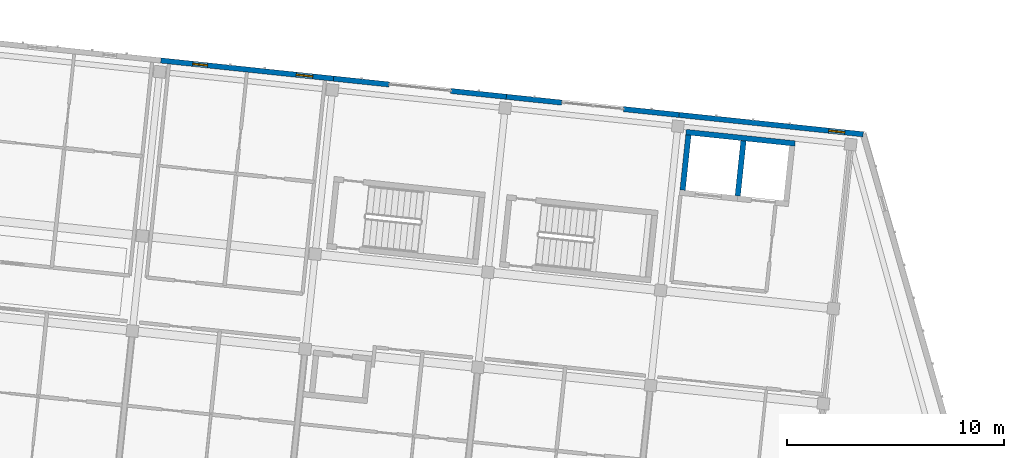
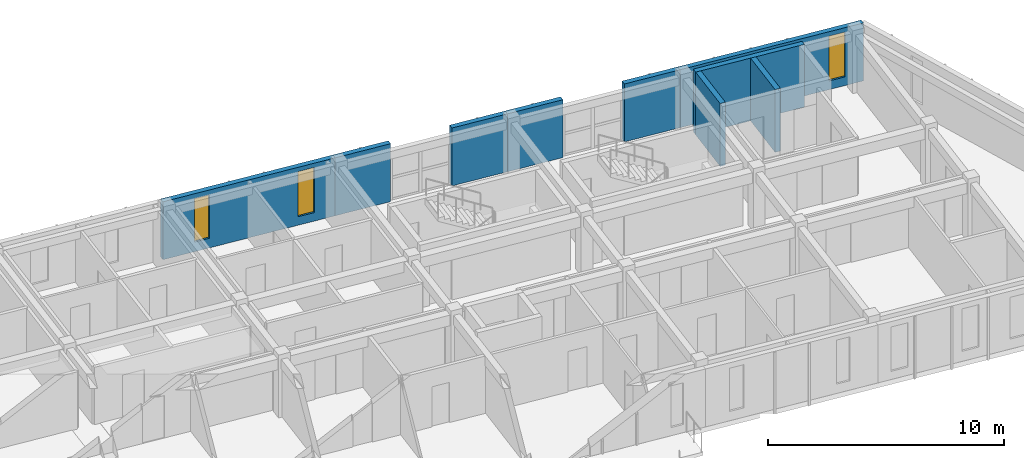
# One storey, part 36 of 74: 9 walls, 3 windows, 3 openings.
"""IFC4 building model written with IfcOpenShell, lengths in metres."""

from ifc_helpers import new_model, si_unit, direction, frame, frame_2d, origin, place, context, subcontext, project, spatial, rectangle, extrude, material, layer, layer_set, type_object, element, fill, save


model = new_model("IFC4")

# Units and contexts
model_context = context("Model", 3, precision=1e-05, world=origin(), true_north=direction((0.0, 1.0)))
body_context = subcontext(model_context, "Body", "Model", "MODEL_VIEW")
ifc_project = project(units=[si_unit("LENGTHUNIT", "METRE"), si_unit("AREAUNIT", "SQUARE_METRE"), si_unit("VOLUMEUNIT", "CUBIC_METRE"), si_unit("PLANEANGLEUNIT", "RADIAN"), si_unit("MASSUNIT", "GRAM", prefix="KILO")], contexts=[model_context])

# Site, building, storey
site_placement = place(None, origin())
site = spatial("IfcSite", under=ifc_project, at=site_placement, CompositionType="ELEMENT")
building_placement = place(site_placement, origin())
building = spatial("IfcBuilding", under=site, at=building_placement, Name="Kestramere Prow Commons", CompositionType="ELEMENT")
storey_placement = place(building_placement, frame((0.0, 0.0, 11.64990234375)))
storey = spatial("IfcBuildingStorey", under=building, at=storey_placement, Name="L03", CompositionType="ELEMENT", Elevation=11.64990234375)

# Wall, openings, windows
ifc_material_1 = material(Name="Fluoropolymer Standing-Seam Zinc-Aluminium Cladding", Category="aluminium")
ifc_layer_1 = layer(ifc_material_1, 0.239990234375)
ifc_layer_set_1 = layer_set([ifc_layer_1], Name="Fluoropolymer Standing-Seam Zinc-Aluminium Cladding")
wall_type_1 = type_object("IfcWallType", Name="EW-SEAM-240", PredefinedType="SOLIDWALL", material=ifc_layer_set_1)
wall_1_placement = place(storey_placement, frame((128.015869140625, 113.142333984375, 0.0), z_axis=(0.0, 0.0, 1.0), x_axis=(0.994522662826, -0.104521161134, 0.0)))
wall_1 = element("IfcWall", 1, at=wall_1_placement, inside=storey, type_object=wall_type_1, Name="Block B L03 North Standing-Seam Wall 3", PredefinedType="SOLIDWALL", context=body_context, shape_type="SweptSolid", body=[
    extrude(rectangle(XDim=8.0, YDim=0.239990234375, at=frame_2d((4.0, 0.0))), origin(), (0.0, 0.0, 1.0), 3.0),
])
opening_1_placement = place(wall_1_placement, frame((1.47998046875, 0.0, 0.5)))
opening_1 = element("IfcOpeningElement", 2, at=opening_1_placement, cuts=wall_1, Name="Opening WN-06", PredefinedType="OPENING", context=body_context, shape_type="SweptSolid", body=[
    extrude(rectangle(XDim=0.679931640625, YDim=2.239990234375, at=frame_2d((0.33984375, 1.1201171875))), frame((0.0, 0.135009765625, 0.0), z_axis=(0.0, -1.0, 0.0), x_axis=(1.0, 0.0, 0.0)), (0.0, 0.0, 1.0), 0.27001953125),
])
opening_2_placement = place(wall_1_placement, frame((6.2705078125, 0.0, 0.43994140625)))
opening_2 = element("IfcOpeningElement", 3, at=opening_2_placement, cuts=wall_1, Name="Opening WN-10", PredefinedType="OPENING", context=body_context, shape_type="SweptSolid", body=[
    extrude(rectangle(XDim=0.760009765625, YDim=2.340087890625, at=frame_2d((0.3798828125, 1.169921875))), frame((0.0, 0.135009765625, 0.0), z_axis=(0.0, -1.0, 0.0), x_axis=(1.0, 0.0, 0.0)), (0.0, 0.0, 1.0), 0.27001953125),
])
ifc_material_2 = material(Name="Low-E Laminated Double Glazing", Category="glass")
window_type_1 = type_object("IfcWindowType", Name="WN-NAR-680A", PartitioningType="SINGLE_PANEL", PredefinedType="WINDOW", material=ifc_material_2)
window_1_placement = place(opening_1_placement, origin())
window_1 = element("IfcWindow", 4, at=window_1_placement, inside=storey, type_object=window_type_1, Name="WN-B-L03-N-2-0", OverallHeight=2.239990234375, OverallWidth=0.679931640625, PartitioningType="SINGLE_PANEL", PredefinedType="WINDOW", context=body_context, shape_type="SweptSolid", body=[
    extrude(rectangle(XDim=0.679931640625, YDim=2.239990234375, at=frame_2d((0.33984375, 1.1201171875))), frame((0.0, 0.030029296875, 0.0), z_axis=(0.0, -1.0, 0.0), x_axis=(1.0, 0.0, 0.0)), (0.0, 0.0, 1.0), 0.06005859375),
])
fill(opening_1, window_1)
window_type_2 = type_object("IfcWindowType", Name="WN-NAR-760A", PartitioningType="SINGLE_PANEL", PredefinedType="WINDOW", material=ifc_material_2)
window_2_placement = place(opening_2_placement, origin())
window_2 = element("IfcWindow", 5, at=window_2_placement, inside=storey, type_object=window_type_2, Name="WN-B-L03-N-2-1", OverallHeight=2.340087890625, OverallWidth=0.760009765625, PartitioningType="SINGLE_PANEL", PredefinedType="WINDOW", context=body_context, shape_type="SweptSolid", body=[
    extrude(rectangle(XDim=0.760009765625, YDim=2.340087890625, at=frame_2d((0.3798828125, 1.169921875))), frame((0.0, 0.030029296875, 0.0), z_axis=(0.0, -1.0, 0.0), x_axis=(1.0, 0.0, 0.0)), (0.0, 0.0, 1.0), 0.06005859375),
])
fill(opening_2, window_2)

# Walls
for number, where, z_axis, x_axis, name in (
    (6, (135.97216796875, 112.30615234375, 0.0), (0.0, 0.0, 1.0), (0.99451635776, -0.104581136677, 0.0), "Block B L03 North Standing-Seam Pier 4L"),
    (7, (141.367431640625, 111.739013671875, 0.0), (0.0, 0.0, 1.0), (0.99451635776, -0.104581136677, 0.0), "Block B L03 North Standing-Seam Pier 4R"),
):
    element("IfcWall", number, at=place(storey_placement, frame(where, z_axis=z_axis, x_axis=x_axis)), inside=storey, type_object=wall_type_1, Name=name, PredefinedType="SOLIDWALL", context=body_context, shape_type="SweptSolid", body=[
        extrude(rectangle(XDim=2.574951171875, YDim=0.239990234375, at=frame_2d((1.28759765625, 0.0))), origin(), (0.0, 0.0, 1.0), 3.0),
    ])
wall_2_placement = place(storey_placement, frame((143.92822265625, 111.4697265625, 0.0), z_axis=(0.0, 0.0, 1.0), x_axis=(0.994527249958, -0.104477505191, 0.0)))
element("IfcWall", 8, at=wall_2_placement, inside=storey, type_object=wall_type_1, Name="Block B L03 North Standing-Seam Pier 5L", PredefinedType="SOLIDWALL", context=body_context, shape_type="SweptSolid", body=[
    extrude(rectangle(XDim=2.5751953125, YDim=0.239990234375, at=frame_2d((1.28759765625, 0.0))), origin(), (0.0, 0.0, 1.0), 3.0),
])
wall_3_placement = place(storey_placement, frame((149.32373046875, 110.90283203125, 0.0), z_axis=(0.0, 0.0, 1.0), x_axis=(0.99451635776, -0.104581136677, 0.0)))
element("IfcWall", 9, at=wall_3_placement, inside=storey, type_object=wall_type_1, Name="Block B L03 North Standing-Seam Pier 5R", PredefinedType="SOLIDWALL", context=body_context, shape_type="SweptSolid", body=[
    extrude(rectangle(XDim=2.574951171875, YDim=0.239990234375, at=frame_2d((1.28759765625, 0.0))), origin(), (0.0, 0.0, 1.0), 3.0),
])

# Wall, opening, window
wall_4_placement = place(storey_placement, frame((151.884521484375, 110.633544921875, 0.0), z_axis=(0.0, 0.0, 1.0), x_axis=(0.994521760736, -0.104529744196, 0.0)))
wall_4 = element("IfcWall", 10, at=wall_4_placement, inside=storey, type_object=wall_type_1, Name="Block B L03 North Standing-Seam Wall 6", PredefinedType="SOLIDWALL", context=body_context, shape_type="SweptSolid", body=[
    extrude(rectangle(XDim=8.52490234375, YDim=0.239990234375, at=frame_2d((4.262451171875, 0.0))), origin(), (0.0, 0.0, 1.0), 3.0),
])
opening_3_placement = place(wall_4_placement, frame((6.925048828125, 0.0, 0.449951171875)))
opening_3 = element("IfcOpeningElement", 11, at=opening_3_placement, cuts=wall_4, Name="Opening WN-19", PredefinedType="OPENING", context=body_context, shape_type="SweptSolid", body=[
    extrude(rectangle(XDim=0.75, YDim=2.320068359375, at=frame_2d((0.375, 1.16015625))), frame((0.0, 0.135009765625, 0.0), z_axis=(0.0, -1.0, 0.0), x_axis=(1.0, 0.0, 0.0)), (0.0, 0.0, 1.0), 0.27001953125),
])
window_type_3 = type_object("IfcWindowType", Name="WN-CLER-1800", PartitioningType="SINGLE_PANEL", PredefinedType="WINDOW", material=ifc_material_2)
window_3_placement = place(opening_3_placement, origin())
window_3 = element("IfcWindow", 12, at=window_3_placement, inside=storey, type_object=window_type_3, Name="Block B L03 Core Lobby Slot Window", OverallHeight=2.320068359375, OverallWidth=0.75, PartitioningType="SINGLE_PANEL", PredefinedType="WINDOW", context=body_context, shape_type="SweptSolid", body=[
    extrude(rectangle(XDim=0.75, YDim=2.320068359375, at=frame_2d((0.375, 1.16015625))), frame((0.0, 0.030029296875, 0.0), z_axis=(0.0, -1.0, 0.0), x_axis=(1.0, 0.0, 0.0)), (0.0, 0.0, 1.0), 0.06005859375),
])
fill(opening_3, window_3)

# Walls
ifc_material_3 = material(Name="Concrete C40/50", Category="concrete")
ifc_layer_2 = layer(ifc_material_3, 0.25)
ifc_layer_set_2 = layer_set([ifc_layer_2], Name="Concrete C40/50")
wall_type_2 = type_object("IfcWallType", Name="W-CORE-250", PredefinedType="SHEAR", material=ifc_layer_set_2)
wall_5_placement = place(storey_placement, frame((152.203857421875, 109.845947265625, 0.0), z_axis=(0.0, 0.0, 1.0), x_axis=(0.994522922189, -0.104518693261, 0.0)))
element("IfcWall", 13, at=wall_5_placement, inside=storey, type_object=wall_type_2, Name="Block B L03 Lift Core Back Wall", PredefinedType="SHEAR", context=body_context, shape_type="SweptSolid", body=[
    extrude(rectangle(XDim=5.050048828125, YDim=0.25, at=frame_2d((2.52490234375, 0.0))), origin(), (0.0, 0.0, 1.0), 3.25),
])
for number, where, z_axis, x_axis, name in (
    (14, (152.048583984375, 107.172607421875, 0.0), (0.0, 0.0, 1.0), (0.104555197931, 0.994519085079, 0.0), "Block B L03 Lift Core Side Wall L"),
    (15, (154.584716796875, 106.906005859375, 0.0), (0.0, 0.0, 1.0), (0.104555197931, 0.994519085079, 0.0), "Block B L03 Lift Core Side Wall M"),
):
    element("IfcWall", number, at=place(storey_placement, frame(where, z_axis=z_axis, x_axis=x_axis)), inside=storey, type_object=wall_type_2, Name=name, PredefinedType="SHEAR", context=body_context, shape_type="SweptSolid", body=[
        extrude(rectangle(XDim=2.5498046875, YDim=0.25, at=frame_2d((1.27490234375, 0.0))), origin(), (0.0, 0.0, 1.0), 3.25),
    ])

save(model, "model.ifc")
